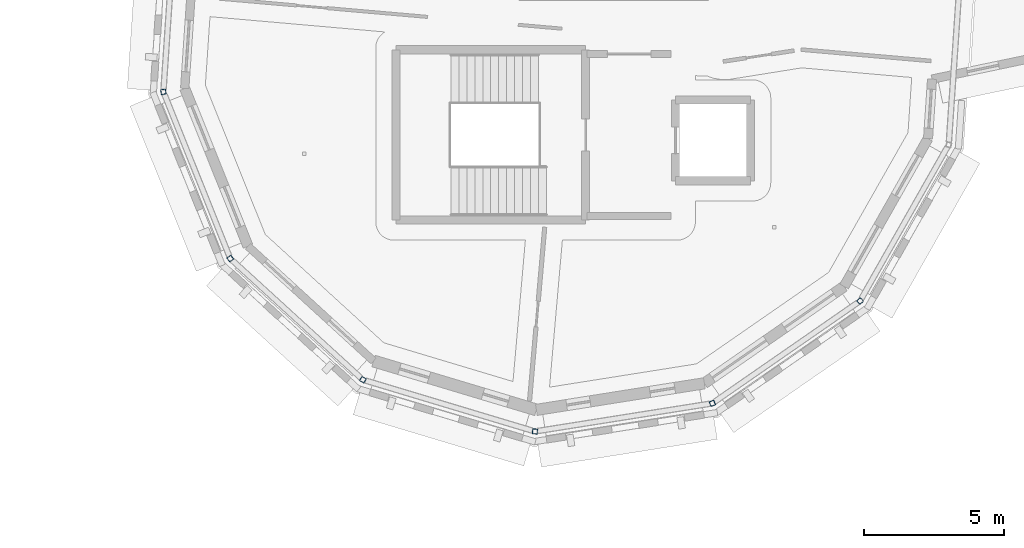
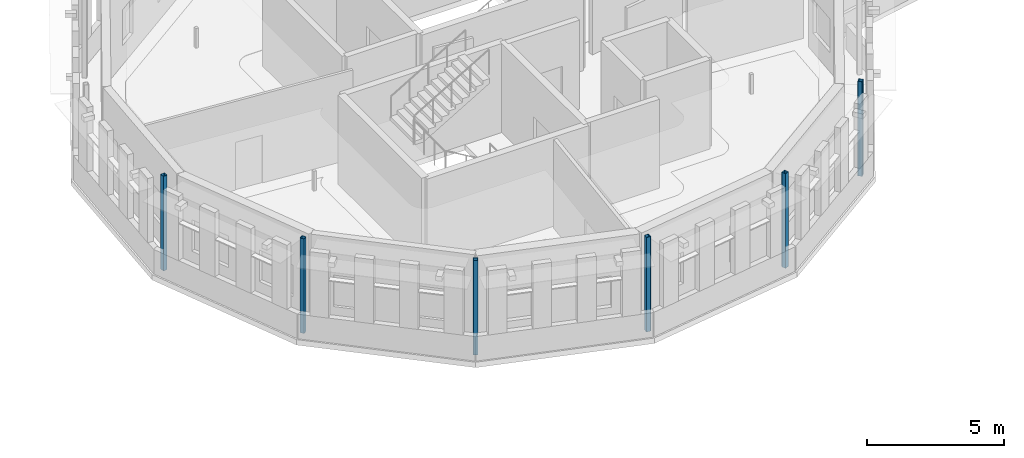
# One storey, part 6 of 68: 6 columns.
"""IFC4 building model written with IfcOpenShell, lengths in metres."""

from ifc_helpers import new_model, si_unit, direction, frame, origin, origin_2d, place, context, subcontext, project, spatial, hollow_rectangle, extrude, material, material_profile, profile_set, type_object, element, save


model = new_model("IFC4")

# Units and contexts
model_context = context("Model", 3, precision=1e-05, world=origin(), true_north=direction((0.0, 1.0)))
body_context = subcontext(model_context, "Body", "Model", "MODEL_VIEW")
ifc_project = project(units=[si_unit("LENGTHUNIT", "METRE"), si_unit("AREAUNIT", "SQUARE_METRE"), si_unit("VOLUMEUNIT", "CUBIC_METRE"), si_unit("PLANEANGLEUNIT", "RADIAN"), si_unit("MASSUNIT", "GRAM", prefix="KILO")], contexts=[model_context])

# Site, building, storey
site_placement = place(None, origin())
site = spatial("IfcSite", under=ifc_project, at=site_placement, CompositionType="ELEMENT")
building_placement = place(site_placement, origin())
building = spatial("IfcBuilding", under=site, at=building_placement, Name="Wrenclough Park School", CompositionType="ELEMENT")
storey_placement = place(building_placement, frame((0.0, 0.0, 12.60009765625)))
storey = spatial("IfcBuildingStorey", under=building, at=storey_placement, Name="L03", CompositionType="ELEMENT", Elevation=12.60009765625)

# Columns
ifc_material = material(Name="Structural steel S355", Category="steel")
ifc_material_profile = material_profile(ifc_material, hollow_rectangle(XDim=0.179931640625, YDim=0.179931640625, WallThickness=0.010009765625, InnerFilletRadius=0.010009765625, OuterFilletRadius=0.014892578125, at=origin_2d()), Name="SHS 180x180x10.0")
ifc_profile_set = profile_set([ifc_material_profile], Name="Structural steel S355")
column_type = type_object("IfcColumnType", Name="STR-COL-SHS180", PredefinedType="PILASTER", material=ifc_profile_set)
for number, where, z_axis, x_axis, name in (
    (1, (68.727783203125, 106.239501953125, 0.0), (0.0, 0.0, 1.0), (0.15643446504, -0.987688340595, 0.0), "D4 L03 column D4-OUT-08"),
    (2, (71.1220703125, 100.27099609375, 0.0), (0.0, 0.0, 1.0), (0.569423005964, -0.822044670489, 0.0), "D4 L03 column D4-OUT-09"),
    (3, (75.868896484375, 95.93212890625, 0.0), (0.0, 0.0, 1.0), (0.869753437661, -0.493486532416, 0.0), "D4 L03 column D4-OUT-10"),
    (4, (82.028076171875, 94.082763671875, 0.0), (0.0, 0.0, 1.0), (0.997731519333, -0.067318759124, 0.0), "D4 L03 column D4-OUT-11"),
    (5, (88.379638671875, 95.088623046875, 0.0), (0.0, 0.0, 1.0), (0.928096422365, 0.372339939832, 0.0), "D4 L03 column D4-OUT-12"),
    (6, (93.665771484375, 98.7509765625, 0.0), (0.0, 0.0, 1.0), (0.674688949446, 0.738102175512, 0.0), "D4 L03 column D4-OUT-13"),
):
    element("IfcColumn", number, at=place(storey_placement, frame(where, z_axis=z_axis, x_axis=x_axis)), inside=storey, type_object=column_type, Name=name, PredefinedType="PILASTER", context=body_context, shape_type="SweptSolid", body=[
        extrude(hollow_rectangle(XDim=0.179931640625, YDim=0.179931640625, WallThickness=0.010009765625, InnerFilletRadius=0.010009765625, OuterFilletRadius=0.014892578125, at=origin_2d()), origin(), (0.0, 0.0, 1.0), 4.199951171875),
    ])

save(model, "model.ifc")
